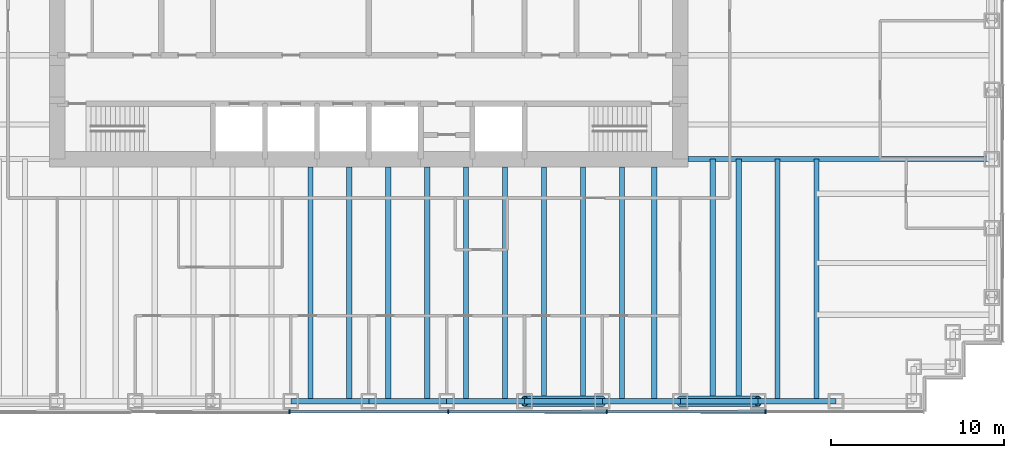
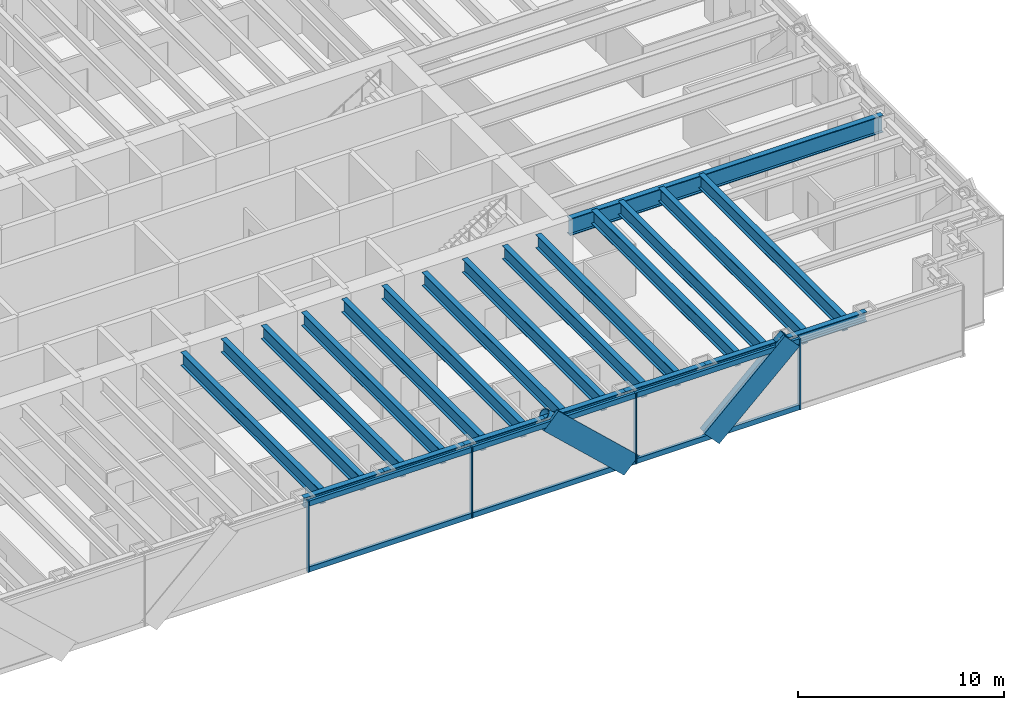
# One storey, part 4 of 16: 22 beams, 14 members, 1 element without a shape of its own.
"""IFC4 building model written with IfcOpenShell, lengths in metres."""

import ifcopenshell
import ifcopenshell.guid

model = None  # the IFC model being written
_history = None  # IfcOwnerHistory: only IFC2X3 demands one
_inside = {}  # id of a spatial element -> (the spatial element, [elements in it])
_under = {}  # id of a project, library or spatial element -> (it, [spatial elements below it])
_declared = {}  # id of a project -> (the project, [libraries it declares])
_typed = {}  # id of a type object -> (the type object, [elements of that type])
_made_of = {}  # id of a material, layer set ... -> (it, [elements and type objects made of it])


def new_model(schema):
    """Start an empty IFC model of exactly this schema.

    Asked for "IFC4X3", IfcOpenShell would pick the latest addendum, in which some entities
    have other attributes; the version numbers below select the first issue.
    IFC2X3 requires an IfcOwnerHistory on every rooted entity: one is made here for all.
    """
    global model, _history
    if schema == "IFC4X3":
        model = ifcopenshell.file(schema_version=(4, 3, 0, 0))
    else:
        model = ifcopenshell.file(schema=schema)
    _inside.clear()
    _under.clear()
    _declared.clear()
    _typed.clear()
    _made_of.clear()
    _history = None
    if model.schema == "IFC2X3":
        org = make("IfcOrganization", Name="unknown")
        user = make(
            "IfcPersonAndOrganization",
            ThePerson=make("IfcPerson", FamilyName="unknown"),
            TheOrganization=org,
        )
        app = make(
            "IfcApplication",
            ApplicationDeveloper=org,
            Version="unknown",
            ApplicationFullName="unknown",
            ApplicationIdentifier="unknown",
        )
        _history = make(
            "IfcOwnerHistory",
            OwningUser=user,
            OwningApplication=app,
            ChangeAction="ADDED",
            CreationDate=0,
        )
    return model


def make(cls, **values):
    """One entity of the class cls with the attributes given. An attribute that is None is left unset."""
    return model.create_entity(
        cls, **{name: value for name, value in values.items() if value is not None}
    )


def rooted(cls, **values):
    """An entity with a GlobalId (a new one), such as an element, a storey or a relation."""
    return make(cls, GlobalId=ifcopenshell.guid.new(), OwnerHistory=_history, **values)


def si_unit(unit_type, name, prefix=None):
    """IfcSIUnit, for example si_unit("LENGTHUNIT", "METRE", prefix="MILLI")."""
    return make("IfcSIUnit", UnitType=unit_type, Prefix=prefix, Name=name)


def assignment(units):
    """IfcUnitAssignment: the units of a project."""
    return None if units is None else make("IfcUnitAssignment", Units=units)


def point(xyz):
    """IfcCartesianPoint."""
    return None if xyz is None else make("IfcCartesianPoint", Coordinates=xyz)


def direction(xyz):
    """IfcDirection."""
    return None if xyz is None else make("IfcDirection", DirectionRatios=xyz)


def frame(location, z_axis=None, x_axis=None):
    """IfcAxis2Placement3D, a coordinate frame: its origin and axes. An axis left out is left unset."""
    return make(
        "IfcAxis2Placement3D",
        Location=point(location),
        Axis=direction(z_axis),
        RefDirection=direction(x_axis),
    )


def frame_2d(location, x_axis=None):
    """IfcAxis2Placement2D, a coordinate frame in the plane: its origin and x axis."""
    return make(
        "IfcAxis2Placement2D", Location=point(location), RefDirection=direction(x_axis)
    )


def origin():
    """The frame at (0, 0, 0) with its axes left unset."""
    return frame((0.0, 0.0, 0.0))


def origin_2d():
    """The frame at (0, 0) in the plane with its x axis left unset."""
    return frame_2d((0.0, 0.0))


def place(relative_to, where):
    """IfcLocalPlacement: puts the frame where relative to a parent placement (None: the world)."""
    return make(
        "IfcLocalPlacement", PlacementRelTo=relative_to, RelativePlacement=where
    )


def context(
    kind, dimensions, precision=None, world=None, true_north=None, identifier=None
):
    """IfcGeometricRepresentationContext, for example the 3D "Model" context."""
    return make(
        "IfcGeometricRepresentationContext",
        ContextIdentifier=identifier,
        ContextType=kind,
        CoordinateSpaceDimension=dimensions,
        Precision=precision,
        WorldCoordinateSystem=world,
        TrueNorth=true_north,
    )


def subcontext(parent, identifier, kind, view, scale=None):
    """IfcGeometricRepresentationSubContext, for example "Body" below "Model"."""
    return make(
        "IfcGeometricRepresentationSubContext",
        ContextIdentifier=identifier,
        ContextType=kind,
        ParentContext=parent,
        TargetScale=scale,
        TargetView=view,
    )


def project(units=None, contexts=None):
    """IfcProject with its units and contexts."""
    return rooted(
        "IfcProject",
        Name="project",
        RepresentationContexts=contexts,
        UnitsInContext=assignment(units),
    )


def spatial(cls, under=None, at=None, **own):
    """A site, building, storey or space (cls), placed at a placement, below another one or the project."""
    s = rooted(cls, ObjectPlacement=at, **own)
    if under is not None:
        _under.setdefault(under.id(), (under, []))[1].append(s)
    return s


def profile(cls, at=None, kind="AREA", **sizes):
    """A parametric profile (cls). Its sizes go by their IFC names, for example OverallWidth=200.0."""
    return make(cls, ProfileType=kind, Position=at, **sizes)


def rectangle(**sizes):
    """IfcRectangleProfileDef."""
    return profile("IfcRectangleProfileDef", **sizes)


def hollow_circle(**sizes):
    """IfcCircleHollowProfileDef."""
    return profile("IfcCircleHollowProfileDef", **sizes)


def i_section(**sizes):
    """IfcIShapeProfileDef."""
    return profile("IfcIShapeProfileDef", **sizes)


def extrude(swept, where, along, depth):
    """IfcExtrudedAreaSolid: the profile swept, set in the frame where, extruded along a direction by depth."""
    return make(
        "IfcExtrudedAreaSolid",
        SweptArea=swept,
        Position=where,
        ExtrudedDirection=direction(along),
        Depth=depth,
    )


def shape(context_of_items, identifier, shape_type, items):
    """IfcShapeRepresentation: the items that make up one representation, for example the "Body"."""
    return make(
        "IfcShapeRepresentation",
        ContextOfItems=context_of_items,
        RepresentationIdentifier=identifier,
        RepresentationType=shape_type,
        Items=items,
    )


def material(Name=None, Category=None):
    """IfcMaterial."""
    return make("IfcMaterial", Name=Name, Category=Category)


def material_profile(
    of_material, cross_section, Name=None, Category=None, Priority=None
):
    """IfcMaterialProfile: a cross section and its material."""
    return make(
        "IfcMaterialProfile",
        Name=Name,
        Material=of_material,
        Profile=cross_section,
        Priority=Priority,
        Category=Category,
    )


def profile_set(profiles, Name=None, composite=None):
    """IfcMaterialProfileSet."""
    return make(
        "IfcMaterialProfileSet",
        Name=Name,
        MaterialProfiles=profiles,
        CompositeProfile=composite,
    )


def made_of(thing, what):
    """Note that an element or type object is made of a material, layer set ...; save() writes the relation."""
    if what is not None:
        _made_of.setdefault(what.id(), (what, []))[1].append(thing)
    return thing


def type_object(cls, material=None, **own):
    """A type object (cls), such as IfcWallType, which elements share."""
    return made_of(rooted(cls, **own), material)


def element(
    cls,
    number,
    at=None,
    inside=None,
    cuts=None,
    type_object=None,
    material=None,
    context=None,
    identifier="Body",
    shape_type=None,
    held_by="IfcProductDefinitionShape",
    body=None,
    shapes=None,
    **own,
):
    """One element of the class cls, such as IfcWall. Its Tag is "e" and its number.

    at: its placement. inside: the storey or other place that contains it. cuts: it is an
    opening in that element (IfcRelVoidsElement). A single representation is given by context,
    identifier, shape_type and body (its items); several are given by shapes. held_by: the class
    of the entity that holds the representations. save() writes the other relations.
    """
    e = rooted(cls, Tag="e%d" % number, ObjectPlacement=at, **own)
    if body is not None:
        shapes = [shape(context, identifier, shape_type, body)]
    if shapes is not None:
        e.Representation = make(held_by, Representations=shapes)
    if inside is not None:
        _inside.setdefault(inside.id(), (inside, []))[1].append(e)
    if cuts is not None:
        rooted(
            "IfcRelVoidsElement", RelatingBuildingElement=cuts, RelatedOpeningElement=e
        )
    if type_object is not None:
        _typed.setdefault(type_object.id(), (type_object, []))[1].append(e)
    return made_of(e, material)


def aggregate(whole, parts):
    """IfcRelAggregates: a whole, such as a stair, and the parts it consists of."""
    return rooted("IfcRelAggregates", RelatingObject=whole, RelatedObjects=parts)


def save(model, path):
    """Write the relations noted so far, then the file.

    IfcRelAggregates (storeys below a building ...), IfcRelContainedInSpatialStructure (elements
    in a storey), IfcRelDefinesByType, IfcRelAssociatesMaterial and IfcRelDeclares: one each for
    every whole, place, type object, material and project.
    """
    for whole, parts in _under.values():
        aggregate(whole, parts)
    for where, things in _inside.values():
        rooted(
            "IfcRelContainedInSpatialStructure",
            RelatedElements=things,
            RelatingStructure=where,
        )
    for kind, things in _typed.values():
        rooted("IfcRelDefinesByType", RelatedObjects=things, RelatingType=kind)
    for what, things in _made_of.values():
        rooted("IfcRelAssociatesMaterial", RelatedObjects=things, RelatingMaterial=what)
    for by, libraries in _declared.values():
        rooted("IfcRelDeclares", RelatingContext=by, RelatedDefinitions=libraries)
    model.write(path)


model = new_model("IFC4")

# Units and contexts
model_context = context("Model", 3, precision=1e-05, world=origin(), true_north=direction((0.0, 1.0)))
body_context = subcontext(model_context, "Body", "Model", "MODEL_VIEW")
ifc_project = project(units=[si_unit("LENGTHUNIT", "METRE"), si_unit("AREAUNIT", "SQUARE_METRE"), si_unit("VOLUMEUNIT", "CUBIC_METRE"), si_unit("PLANEANGLEUNIT", "RADIAN"), si_unit("MASSUNIT", "GRAM", prefix="KILO")], contexts=[model_context])

# Site, building, storey
site_placement = place(None, origin())
site = spatial("IfcSite", under=ifc_project, at=site_placement, CompositionType="ELEMENT")
building_placement = place(site_placement, origin())
building = spatial("IfcBuilding", under=site, at=building_placement, Name="Rheinbord Bourse Tower", CompositionType="ELEMENT")
storey_placement = place(building_placement, frame((0.0, 0.0, 171.89990234375)))
storey = spatial("IfcBuildingStorey", under=building, at=storey_placement, Name="L38", CompositionType="ELEMENT", Elevation=171.89990234375)

# Curtain wall, members
ifc_material_1 = material(Name="Dark glass and black aluminium", Category="aluminium")
curtain_wall_type = type_object("IfcCurtainWallType", Name="CW2 DARK GLASS CURTAIN WALL", PredefinedType="USERDEFINED", material=ifc_material_1)
curtain_wall_placement = place(storey_placement, origin())
curtain_wall = element("IfcCurtainWall", 1, at=curtain_wall_placement, inside=storey, type_object=curtain_wall_type, Name="Curtain wall CW2 S L38", ObjectType="UNITISED CURTAIN WALL", PredefinedType="USERDEFINED")
ifc_material_2 = material(Name="Black anodised aluminium", Category="aluminium")
ifc_material_profile_1 = material_profile(ifc_material_2, rectangle(XDim=0.159912109375, YDim=1.2099609375, at=origin_2d()), Name="CW2 DIAGONAL MULLION 1210x160")
ifc_profile_set_1 = profile_set([ifc_material_profile_1], Name="Black anodised aluminium")
member_type_1 = type_object("IfcMemberType", Name="CW2 BLACK DIAGONAL MULLION", PredefinedType="USERDEFINED", material=ifc_profile_set_1)
member_1_placement = place(storey_placement, frame((54.0, 1.39990234375, 0.0), z_axis=(0.731039441158, 0.0, 0.682335207557), x_axis=(0.0, 1.0, 0.0)))
member_1 = element("IfcMember", 2, at=member_1_placement, type_object=member_type_1, Name="CW2 diagonal mullion a", ObjectType="DIAGONAL MULLION", PredefinedType="USERDEFINED", context=body_context, shape_type="SweptSolid", body=[
    extrude(rectangle(XDim=0.159912109375, YDim=1.2099609375, at=origin_2d()), origin(), (0.0, 0.0, 1.0), 6.155517578125),
])
member_2_placement = place(storey_placement, frame((49.5, 1.39990234375, 0.0), z_axis=(-0.731039441158, 0.0, 0.682335207557), x_axis=(0.0, -1.0, 0.0)))
member_2 = element("IfcMember", 3, at=member_2_placement, type_object=member_type_1, Name="CW2 diagonal mullion c", ObjectType="DIAGONAL MULLION", PredefinedType="USERDEFINED", context=body_context, shape_type="SweptSolid", body=[
    extrude(rectangle(XDim=0.159912109375, YDim=1.2099609375, at=origin_2d()), origin(), (0.0, 0.0, 1.0), 6.155517578125),
])
ifc_material_3 = material(Name="Black anodised aluminium", Category="aluminium")
ifc_material_profile_2 = material_profile(ifc_material_3, rectangle(XDim=0.219970703125, YDim=0.070068359375, at=origin_2d()), Name="CW2 MULLION 70x220")
ifc_profile_set_2 = profile_set([ifc_material_profile_2], Name="Black anodised aluminium")
member_type_2 = type_object("IfcMemberType", Name="CW2 BLACK MULLION", PredefinedType="MULLION", material=ifc_profile_set_2)
member_3_placement = place(storey_placement, frame((31.414306640625, 1.39990234375, 0.0), z_axis=(0.0, 0.0, 1.0), x_axis=(0.0, 1.0, 0.0)))
member_3 = element("IfcMember", 4, at=member_3_placement, type_object=member_type_2, Name="CW2 mullion 4", PredefinedType="MULLION", context=body_context, shape_type="SweptSolid", body=[
    extrude(rectangle(XDim=0.219970703125, YDim=0.070068359375, at=origin_2d()), origin(), (0.0, 0.0, 1.0), 4.2001953125),
])
member_4_placement = place(storey_placement, frame((40.585693359375, 1.39990234375, 0.0), z_axis=(0.0, 0.0, 1.0), x_axis=(0.0, 1.0, 0.0)))
member_4 = element("IfcMember", 5, at=member_4_placement, type_object=member_type_2, Name="CW2 mullion 5", PredefinedType="MULLION", context=body_context, shape_type="SweptSolid", body=[
    extrude(rectangle(XDim=0.219970703125, YDim=0.070068359375, at=origin_2d()), origin(), (0.0, 0.0, 1.0), 4.2001953125),
])
member_5_placement = place(storey_placement, frame((49.757080078125, 1.39990234375, 0.0), z_axis=(0.0, 0.0, 1.0), x_axis=(0.0, 1.0, 0.0)))
member_5 = element("IfcMember", 6, at=member_5_placement, type_object=member_type_2, Name="CW2 mullion 6", PredefinedType="MULLION", context=body_context, shape_type="SweptSolid", body=[
    extrude(rectangle(XDim=0.219970703125, YDim=0.070068359375, at=origin_2d()), origin(), (0.0, 0.0, 1.0), 4.2001953125),
])
member_6_placement = place(storey_placement, frame((58.928466796875, 1.39990234375, 0.0), z_axis=(0.0, 0.0, 1.0), x_axis=(0.0, 1.0, 0.0)))
member_6 = element("IfcMember", 7, at=member_6_placement, type_object=member_type_2, Name="CW2 mullion 7", PredefinedType="MULLION", context=body_context, shape_type="SweptSolid", body=[
    extrude(rectangle(XDim=0.219970703125, YDim=0.070068359375, at=origin_2d()), origin(), (0.0, 0.0, 1.0), 4.2001953125),
])
ifc_material_4 = material(Name="Black anodised aluminium", Category="aluminium")
ifc_material_profile_3 = material_profile(ifc_material_4, rectangle(XDim=0.159912109375, YDim=0.300048828125, at=origin_2d()), Name="CW2 TRANSOM 300x160")
ifc_profile_set_3 = profile_set([ifc_material_profile_3], Name="Black anodised aluminium")
member_type_3 = type_object("IfcMemberType", Name="CW2 BLACK TRANSOM", PredefinedType="USERDEFINED", material=ifc_profile_set_3)
member_7_placement = place(storey_placement, frame((31.44921875, 1.39990234375, 0.150146484375), z_axis=(1.0, 0.0, 0.0), x_axis=(0.0, 1.0, 0.0)))
member_7 = element("IfcMember", 8, at=member_7_placement, type_object=member_type_3, Name="CW2 transom 4.1", ObjectType="TRANSOM", PredefinedType="USERDEFINED", context=body_context, shape_type="SweptSolid", body=[
    extrude(rectangle(XDim=0.159912109375, YDim=0.300048828125, at=origin_2d()), origin(), (0.0, 0.0, 1.0), 9.1015625),
])
member_8_placement = place(storey_placement, frame((31.44921875, 1.39990234375, 4.050048828125), z_axis=(1.0, 0.0, 0.0), x_axis=(0.0, 1.0, 0.0)))
member_8 = element("IfcMember", 9, at=member_8_placement, type_object=member_type_3, Name="CW2 transom 4.2", ObjectType="TRANSOM", PredefinedType="USERDEFINED", context=body_context, shape_type="SweptSolid", body=[
    extrude(rectangle(XDim=0.159912109375, YDim=0.300048828125, at=origin_2d()), origin(), (0.0, 0.0, 1.0), 9.1015625),
])
member_9_placement = place(storey_placement, frame((40.62060546875, 1.39990234375, 0.150146484375), z_axis=(1.0, 0.0, 0.0), x_axis=(0.0, 1.0, 0.0)))
member_9 = element("IfcMember", 10, at=member_9_placement, type_object=member_type_3, Name="CW2 transom 5.1", ObjectType="TRANSOM", PredefinedType="USERDEFINED", context=body_context, shape_type="SweptSolid", body=[
    extrude(rectangle(XDim=0.159912109375, YDim=0.300048828125, at=origin_2d()), origin(), (0.0, 0.0, 1.0), 9.1015625),
])
member_10_placement = place(storey_placement, frame((40.62060546875, 1.39990234375, 4.050048828125), z_axis=(1.0, 0.0, 0.0), x_axis=(0.0, 1.0, 0.0)))
member_10 = element("IfcMember", 11, at=member_10_placement, type_object=member_type_3, Name="CW2 transom 5.2", ObjectType="TRANSOM", PredefinedType="USERDEFINED", context=body_context, shape_type="SweptSolid", body=[
    extrude(rectangle(XDim=0.159912109375, YDim=0.300048828125, at=origin_2d()), origin(), (0.0, 0.0, 1.0), 9.1015625),
])
member_11_placement = place(storey_placement, frame((49.792236328125, 1.39990234375, 0.150146484375), z_axis=(1.0, 0.0, 0.0), x_axis=(0.0, 1.0, 0.0)))
member_11 = element("IfcMember", 12, at=member_11_placement, type_object=member_type_3, Name="CW2 transom 6.1", ObjectType="TRANSOM", PredefinedType="USERDEFINED", context=body_context, shape_type="SweptSolid", body=[
    extrude(rectangle(XDim=0.159912109375, YDim=0.300048828125, at=origin_2d()), origin(), (0.0, 0.0, 1.0), 9.101318359375),
])
member_12_placement = place(storey_placement, frame((49.792236328125, 1.39990234375, 4.050048828125), z_axis=(1.0, 0.0, 0.0), x_axis=(0.0, 1.0, 0.0)))
member_12 = element("IfcMember", 13, at=member_12_placement, type_object=member_type_3, Name="CW2 transom 6.2", ObjectType="TRANSOM", PredefinedType="USERDEFINED", context=body_context, shape_type="SweptSolid", body=[
    extrude(rectangle(XDim=0.159912109375, YDim=0.300048828125, at=origin_2d()), origin(), (0.0, 0.0, 1.0), 9.101318359375),
])
aggregate(curtain_wall, [member_3, member_4, member_5, member_6, member_7, member_8, member_9, member_10, member_11, member_12, member_1, member_2])

# Beams
ifc_material_5 = material(Name="Steel S460", Category="steel")
ifc_material_profile_4 = material_profile(ifc_material_5, i_section(OverallWidth=0.300048828125, OverallDepth=0.800048828125, WebThickness=0.017578125, FlangeThickness=0.032958984375, at=origin_2d()), Name="HEB 800")
ifc_profile_set_4 = profile_set([ifc_material_profile_4], Name="Steel S460")
beam_type_1 = type_object("IfcBeamType", Name="FLOOR BEAM HEB 800", PredefinedType="BEAM", material=ifc_profile_set_4)
for number, where, z_axis, x_axis, name in (
    (14, (32.625, 2.0, 3.64013671875), (0.0, 1.0, 0.0), (-1.0, 0.0, 0.0), "Floor beam S-31.5a L39"),
    (15, (34.875, 2.0, 3.64013671875), (0.0, 1.0, 0.0), (-1.0, 0.0, 0.0), "Floor beam S-31.5b L39"),
    (16, (37.125, 2.0, 3.64013671875), (0.0, 1.0, 0.0), (-1.0, 0.0, 0.0), "Floor beam S-36a L39"),
    (17, (39.375, 2.0, 3.64013671875), (0.0, 1.0, 0.0), (-1.0, 0.0, 0.0), "Floor beam S-36b L39"),
    (18, (41.625, 2.0, 3.64013671875), (0.0, 1.0, 0.0), (-1.0, 0.0, 0.0), "Floor beam S-40.5a L39"),
    (19, (43.875, 2.0, 3.64013671875), (0.0, 1.0, 0.0), (-1.0, 0.0, 0.0), "Floor beam S-40.5b L39"),
    (20, (46.125, 2.0, 3.64013671875), (0.0, 1.0, 0.0), (-1.0, 0.0, 0.0), "Floor beam S-45a L39"),
    (21, (48.375, 2.0, 3.64013671875), (0.0, 1.0, 0.0), (-1.0, 0.0, 0.0), "Floor beam S-45b L39"),
    (22, (50.625, 2.0, 3.64013671875), (0.0, 1.0, 0.0), (-1.0, 0.0, 0.0), "Floor beam S-49.5a L39"),
    (23, (52.5, 2.0, 3.64013671875), (0.0, 1.0, 0.0), (-1.0, 0.0, 0.0), "Floor beam S-49.5b L39"),
):
    element("IfcBeam", number, at=place(storey_placement, frame(where, z_axis=z_axis, x_axis=x_axis)), inside=storey, type_object=beam_type_1, Name=name, PredefinedType="BEAM", context=body_context, shape_type="SweptSolid", body=[
        extrude(i_section(OverallWidth=0.300048828125, OverallDepth=0.800048828125, WebThickness=0.017578125, FlangeThickness=0.032958984375, at=origin_2d()), origin(), (0.0, 0.0, 1.0), 13.550048828125),
    ])
for number, where, z_axis, x_axis, name in (
    (24, (55.875, 2.0, 3.64013671875), (0.0, 1.0, 0.0), (-1.0, 0.0, 0.0), "Floor beam S-54a L39"),
    (25, (57.375, 2.0, 3.64013671875), (0.0, 1.0, 0.0), (-1.0, 0.0, 0.0), "Floor beam S-54b L39"),
    (26, (59.625, 2.0, 3.64013671875), (0.0, 1.0, 0.0), (-1.0, 0.0, 0.0), "Floor beam S-58.5a L39"),
    (27, (61.875, 2.0, 3.64013671875), (0.0, 1.0, 0.0), (-1.0, 0.0, 0.0), "Floor beam S-58.5b L39"),
):
    element("IfcBeam", number, at=place(storey_placement, frame(where, z_axis=z_axis, x_axis=x_axis)), inside=storey, type_object=beam_type_1, Name=name, PredefinedType="BEAM", context=body_context, shape_type="SweptSolid", body=[
        extrude(i_section(OverallWidth=0.300048828125, OverallDepth=0.800048828125, WebThickness=0.017578125, FlangeThickness=0.032958984375, at=origin_2d()), origin(), (0.0, 0.0, 1.0), 14.0),
    ])
ifc_material_6 = material(Name="Steel S460", Category="steel")
ifc_material_profile_5 = material_profile(ifc_material_6, i_section(OverallWidth=0.302001953125, OverallDepth=1.008056640625, WebThickness=0.02099609375, FlangeThickness=0.0400390625, at=origin_2d()), Name="HEM 1000")
ifc_profile_set_5 = profile_set([ifc_material_profile_5], Name="Steel S460")
beam_type_2 = type_object("IfcBeamType", Name="GIRDER HEM 1000", PredefinedType="BEAM", material=ifc_profile_set_5)
beam_placement = place(storey_placement, frame((54.449951171875, 16.0, 3.5361328125), z_axis=(1.0, 0.0, 0.0), x_axis=(0.0, 1.0, 0.0)))
element("IfcBeam", 28, at=beam_placement, inside=storey, type_object=beam_type_2, Name="Girder east 16 L39", PredefinedType="BEAM", context=body_context, shape_type="SweptSolid", body=[
    extrude(i_section(OverallWidth=0.302001953125, OverallDepth=1.008056640625, WebThickness=0.02099609375, FlangeThickness=0.0400390625, at=origin_2d()), origin(), (0.0, 0.0, 1.0), 17.550048828125),
])

# Members
ifc_material_7 = material(Name="Steel S460", Category="steel")
ifc_material_profile_6 = material_profile(ifc_material_7, hollow_circle(Radius=0.304931640625, WallThickness=0.0400390625, at=origin_2d()), Name="CHS 610x40")
ifc_profile_set_6 = profile_set([ifc_material_profile_6], Name="Steel S460")
member_type_4 = type_object("IfcMemberType", Name="MEGABRACE CHS 610x40", PredefinedType="BRACE", material=ifc_profile_set_6)
for number, where, z_axis, x_axis, name in (
    (29, (54.0, 2.0, 0.0), (0.731039441158, 0.0, 0.682335207557), (0.0, 1.0, 0.0), "Megabrace S face line a L38"),
    (30, (49.5, 2.0, 0.0), (-0.731039441158, 0.0, 0.682335207557), (0.0, -1.0, 0.0), "Megabrace S face line c L38"),
):
    element("IfcMember", number, at=place(storey_placement, frame(where, z_axis=z_axis, x_axis=x_axis)), inside=storey, type_object=member_type_4, Name=name, PredefinedType="BRACE", context=body_context, shape_type="SweptSolid", body=[
        extrude(hollow_circle(Radius=0.304931640625, WallThickness=0.0400390625, at=origin_2d()), origin(), (0.0, 0.0, 1.0), 6.155517578125),
    ])

# Beams
ifc_material_8 = material(Name="Steel S460", Category="steel")
ifc_material_profile_7 = material_profile(ifc_material_8, i_section(OverallWidth=0.305908203125, OverallDepth=0.572021484375, WebThickness=0.02099609375, FlangeThickness=0.0400390625, at=origin_2d()), Name="HEM 550")
ifc_profile_set_7 = profile_set([ifc_material_profile_7], Name="Steel S460")
beam_type_3 = type_object("IfcBeamType", Name="SPANDREL HEM 550", PredefinedType="SPANDREL", material=ifc_profile_set_7)
for number, where, z_axis, x_axis, name in (
    (31, (31.5, 2.0, 3.754150390625), (1.0, 0.0, 0.0), (0.0, 1.0, 0.0), "Spandrel S-31.5-S-36 under L39"),
    (32, (36.0, 2.0, 3.754150390625), (1.0, 0.0, 0.0), (0.0, 1.0, 0.0), "Spandrel S-36-S-40.5 under L39"),
    (33, (40.5, 2.0, 3.754150390625), (1.0, 0.0, 0.0), (0.0, 1.0, 0.0), "Spandrel S-40.5-S-45 under L39"),
    (34, (45.0, 2.0, 3.754150390625), (1.0, 0.0, 0.0), (0.0, 1.0, 0.0), "Spandrel S-45-S-49.5 under L39"),
    (35, (49.5, 2.0, 3.754150390625), (1.0, 0.0, 0.0), (0.0, 1.0, 0.0), "Spandrel S-49.5-S-54 under L39"),
    (36, (54.0, 2.0, 3.754150390625), (1.0, 0.0, 0.0), (0.0, 1.0, 0.0), "Spandrel S-54-S-58.5 under L39"),
    (37, (58.5, 2.0, 3.754150390625), (1.0, 0.0, 0.0), (0.0, 1.0, 0.0), "Spandrel S-58.5-S-63 under L39"),
):
    element("IfcBeam", number, at=place(storey_placement, frame(where, z_axis=z_axis, x_axis=x_axis)), inside=storey, type_object=beam_type_3, Name=name, PredefinedType="SPANDREL", context=body_context, shape_type="SweptSolid", body=[
        extrude(i_section(OverallWidth=0.305908203125, OverallDepth=0.572021484375, WebThickness=0.02099609375, FlangeThickness=0.0400390625, at=origin_2d()), origin(), (0.0, 0.0, 1.0), 4.5),
    ])

save(model, "model.ifc")
